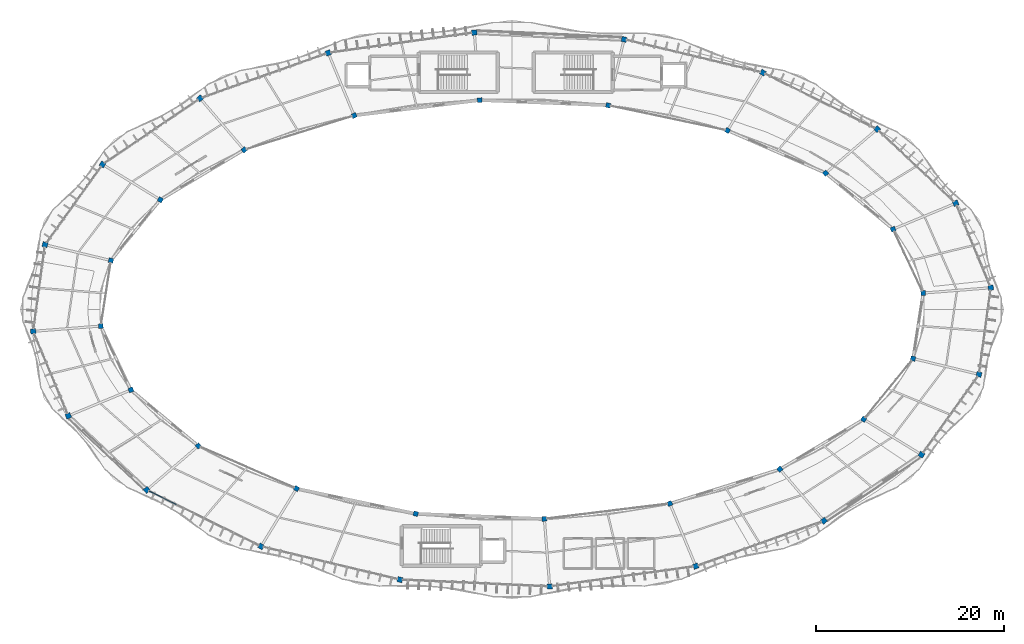
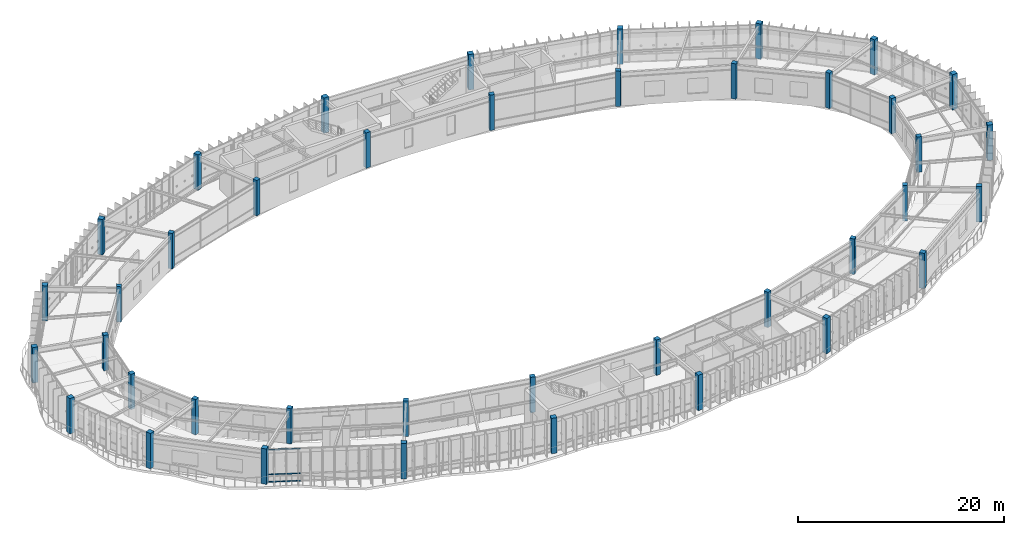
# One storey, part 1 of 79: 40 columns, 3 members, 1 element without a shape of its own.
"""IFC4 building model written with IfcOpenShell, lengths in metres."""

from ifc_helpers import new_model, si_unit, direction, frame, origin, origin_2d, place, context, subcontext, project, spatial, rectangle, hollow_rectangle, extrude, material, material_profile, profile_set, type_object, element, aggregate, save


model = new_model("IFC4")

# Units and contexts
model_context = context("Model", 3, precision=1e-05, world=origin(), true_north=direction((0.0, 1.0)))
body_context = subcontext(model_context, "Body", "Model", "MODEL_VIEW")
ifc_project = project(units=[si_unit("LENGTHUNIT", "METRE"), si_unit("AREAUNIT", "SQUARE_METRE"), si_unit("VOLUMEUNIT", "CUBIC_METRE"), si_unit("PLANEANGLEUNIT", "RADIAN"), si_unit("MASSUNIT", "GRAM", prefix="KILO"), si_unit("THERMODYNAMICTEMPERATUREUNIT", "KELVIN"), si_unit("POWERUNIT", "WATT")], contexts=[model_context])

# Site, building, storey
site_placement = place(None, origin())
site = spatial("IfcSite", under=ifc_project, at=site_placement, CompositionType="ELEMENT")
building_placement = place(site_placement, origin())
building = spatial("IfcBuilding", under=site, at=building_placement, Name="Darbajah Civic Hall", CompositionType="ELEMENT")
storey_placement = place(building_placement, frame((0.0, 0.0, 22.199951171875)))
storey = spatial("IfcBuildingStorey", under=building, at=storey_placement, Name="L05", CompositionType="ELEMENT", Elevation=22.199951171875)

# Columns
ifc_material_1 = material(Name="Concrete C45/55", Category="concrete")
ifc_material_profile_1 = material_profile(ifc_material_1, rectangle(XDim=0.5, YDim=0.5, at=origin_2d()), Name="RC COL 500x500")
ifc_profile_set_1 = profile_set([ifc_material_profile_1], Name="Concrete C45/55")
column_type_1 = type_object("IfcColumnType", Name="RC COL 500x500", PredefinedType="COLUMN", material=ifc_profile_set_1)
for number, where, z_axis, x_axis, name in (
    (1, (132.764892578125, 91.549560546875, 0.0), (0.0, 0.0, 1.0), (0.996917333733, 0.078459095728, 0.0), "L05 column C-RC500"),
    (2, (129.56591796875, 98.333740234375, 0.0), (0.0, 0.0, 1.0), (0.923879532511, 0.382683432365, 0.0), "L05 column C-RC500"),
    (3, (122.40576171875, 104.28271484375, 0.0), (0.0, 0.0, 1.0), (0.7604059656, 0.64944804833, 0.0), "L05 column C-RC500"),
    (4, (111.9853515625, 108.81396484375, 0.0), (0.0, 0.0, 1.0), (0.522498564716, 0.852640164354, 0.0), "L05 column C-RC500"),
    (5, (99.324951171875, 111.48388671875, 0.0), (0.0, 0.0, 1.0), (0.233445363856, 0.972369920398, 0.0), "L05 column C-RC500"),
    (6, (85.66357421875, 112.03125, 0.0), (0.0, 0.0, 1.0), (-0.078459095728, 0.996917333733, 0.0), "L05 column C-RC500"),
    (7, (72.33837890625, 110.402587890625, 0.0), (0.0, 0.0, 1.0), (-0.382683432365, 0.923879532511, 0.0), "L05 column C-RC500"),
    (8, (60.654296875, 106.757080078125, 0.0), (0.0, 0.0, 1.0), (-0.64944804833, 0.7604059656, 0.0), "L05 column C-RC500"),
    (9, (51.75439453125, 101.45166015625, 0.0), (0.0, 0.0, 1.0), (-0.852640164354, 0.522498564716, 0.0), "L05 column C-RC500"),
    (10, (46.51025390625, 95.005859375, 0.0), (0.0, 0.0, 1.0), (-0.972369920398, 0.233445363856, 0.0), "L05 column C-RC500"),
    (11, (45.43505859375, 88.05029296875, 0.0), (0.0, 0.0, 1.0), (-0.996917333733, -0.078459095728, 0.0), "L05 column C-RC500"),
    (12, (48.634033203125, 81.26611328125, 0.0), (0.0, 0.0, 1.0), (-0.923879532511, -0.382683432365, 0.0), "L05 column C-RC500"),
    (13, (55.794189453125, 75.3173828125, 0.0), (0.0, 0.0, 1.0), (-0.7604059656, -0.64944804833, 0.0), "L05 column C-RC500"),
    (14, (66.214599609375, 70.7861328125, 0.0), (0.0, 0.0, 1.0), (-0.522498564716, -0.852640164354, 0.0), "L05 column C-RC500"),
    (15, (78.875, 68.1162109375, 0.0), (0.0, 0.0, 1.0), (-0.233445363856, -0.972369920398, 0.0), "L05 column C-RC500"),
    (16, (92.53662109375, 67.568603515625, 0.0), (0.0, 0.0, 1.0), (0.078459095728, -0.996917333733, 0.0), "L05 column C-RC500"),
    (17, (105.861572265625, 69.197509765625, 0.0), (0.0, 0.0, 1.0), (0.382683432365, -0.923879532511, 0.0), "L05 column C-RC500"),
    (18, (117.5458984375, 72.843017578125, 0.0), (0.0, 0.0, 1.0), (0.64944804833, -0.7604059656, 0.0), "L05 column C-RC500"),
    (19, (126.445556640625, 78.148193359375, 0.0), (0.0, 0.0, 1.0), (0.852640164354, -0.522498564716, 0.0), "L05 column C-RC500"),
    (20, (131.689697265625, 84.59423828125, 0.0), (0.0, 0.0, 1.0), (0.972369920398, -0.233445363856, 0.0), "L05 column C-RC500"),
):
    element("IfcColumn", number, at=place(storey_placement, frame(where, z_axis=z_axis, x_axis=x_axis)), inside=storey, type_object=column_type_1, Name=name, PredefinedType="COLUMN", context=body_context, shape_type="SweptSolid", body=[
        extrude(rectangle(XDim=0.5, YDim=0.5, at=origin_2d()), origin(), (0.0, 0.0, 1.0), 4.199951171875),
    ])
ifc_material_profile_2 = material_profile(ifc_material_1, rectangle(XDim=0.550048828125, YDim=0.550048828125, at=origin_2d()), Name="RC COL 550x550")
ifc_profile_set_2 = profile_set([ifc_material_profile_2], Name="Concrete C45/55")
column_type_2 = type_object("IfcColumnType", Name="RC COL 550x550", PredefinedType="COLUMN", material=ifc_profile_set_2)
for number, where, z_axis, x_axis, name in (
    (21, (139.94287109375, 92.114501953125, 0.0), (0.0, 0.0, 1.0), (0.996917333733, 0.078459095728, 0.0), "L05 column C-RC550"),
    (22, (136.218017578125, 101.089111328125, 0.0), (0.0, 0.0, 1.0), (0.923879532511, 0.382683432365, 0.0), "L05 column C-RC550"),
    (23, (127.880615234375, 108.958740234375, 0.0), (0.0, 0.0, 1.0), (0.7604059656, 0.64944804833, 0.0), "L05 column C-RC550"),
    (24, (115.747314453125, 114.952880859375, 0.0), (0.0, 0.0, 1.0), (0.522498564716, 0.852640164354, 0.0), "L05 column C-RC550"),
    (25, (101.005615234375, 118.48486328125, 0.0), (0.0, 0.0, 1.0), (0.233445363856, 0.972369920398, 0.0), "L05 column C-RC550"),
    (26, (85.0986328125, 119.208984375, 0.0), (0.0, 0.0, 1.0), (-0.078459095728, 0.996917333733, 0.0), "L05 column C-RC550"),
    (27, (69.5830078125, 117.054443359375, 0.0), (0.0, 0.0, 1.0), (-0.382683432365, 0.923879532511, 0.0), "L05 column C-RC550"),
    (28, (55.97802734375, 112.23193359375, 0.0), (0.0, 0.0, 1.0), (-0.64944804833, 0.7604059656, 0.0), "L05 column C-RC550"),
    (29, (45.615478515625, 105.213623046875, 0.0), (0.0, 0.0, 1.0), (-0.852640164354, 0.522498564716, 0.0), "L05 column C-RC550"),
    (30, (39.509033203125, 96.6865234375, 0.0), (0.0, 0.0, 1.0), (-0.972369920398, 0.233445363856, 0.0), "L05 column C-RC550"),
    (31, (38.257080078125, 87.485595703125, 0.0), (0.0, 0.0, 1.0), (-0.996917333733, -0.078459095728, 0.0), "L05 column C-RC550"),
    (32, (41.982177734375, 78.5107421875, 0.0), (0.0, 0.0, 1.0), (-0.923879532511, -0.382683432365, 0.0), "L05 column C-RC550"),
    (33, (50.3193359375, 70.641357421875, 0.0), (0.0, 0.0, 1.0), (-0.7604059656, -0.64944804833, 0.0), "L05 column C-RC550"),
    (34, (62.45263671875, 64.647216796875, 0.0), (0.0, 0.0, 1.0), (-0.522498564716, -0.852640164354, 0.0), "L05 column C-RC550"),
    (35, (77.1943359375, 61.114990234375, 0.0), (0.0, 0.0, 1.0), (-0.233445363856, -0.972369920398, 0.0), "L05 column C-RC550"),
    (36, (93.101318359375, 60.390869140625, 0.0), (0.0, 0.0, 1.0), (0.078459095728, -0.996917333733, 0.0), "L05 column C-RC550"),
    (37, (108.616943359375, 62.545654296875, 0.0), (0.0, 0.0, 1.0), (0.382683432365, -0.923879532511, 0.0), "L05 column C-RC550"),
    (38, (122.221923828125, 67.367919921875, 0.0), (0.0, 0.0, 1.0), (0.64944804833, -0.7604059656, 0.0), "L05 column C-RC550"),
    (39, (132.584716796875, 74.38623046875, 0.0), (0.0, 0.0, 1.0), (0.852640164354, -0.522498564716, 0.0), "L05 column C-RC550"),
    (40, (138.69091796875, 82.913330078125, 0.0), (0.0, 0.0, 1.0), (0.972369920398, -0.233445363856, 0.0), "L05 column C-RC550"),
):
    element("IfcColumn", number, at=place(storey_placement, frame(where, z_axis=z_axis, x_axis=x_axis)), inside=storey, type_object=column_type_2, Name=name, PredefinedType="COLUMN", context=body_context, shape_type="SweptSolid", body=[
        extrude(rectangle(XDim=0.550048828125, YDim=0.550048828125, at=origin_2d()), origin(), (0.0, 0.0, 1.0), 4.199951171875),
    ])

# Curtain wall, members
ifc_material_2 = material(Name="Anodised Bronze Aluminium and Low-E Glazing", Category="aluminium")
curtain_wall_type = type_object("IfcCurtainWallType", Name="Unitised Curtain Wall CW-83 13000x3900", PredefinedType="USERDEFINED", material=ifc_material_2)
curtain_wall_placement = place(storey_placement, origin())
curtain_wall = element("IfcCurtainWall", 41, at=curtain_wall_placement, inside=storey, type_object=curtain_wall_type, Name="L05 unitised curtain wall CW-V1O-L05-12", ObjectType="UNITISED CURTAIN WALL", PredefinedType="USERDEFINED")
ifc_material_3 = material(Name="Anodised Bronze Aluminium", Category="aluminium")
ifc_material_profile_3 = material_profile(ifc_material_3, hollow_rectangle(XDim=0.06494140625, YDim=0.139892578125, WallThickness=0.00341796875, at=origin_2d()), Name="ALU TRANSOM 65x140")
ifc_profile_set_3 = profile_set([ifc_material_profile_3], Name="Anodised Bronze Aluminium")
member_type = type_object("IfcMemberType", Name="ALU TRANSOM 65x140", PredefinedType="USERDEFINED", material=ifc_profile_set_3)
member_1_placement = place(storey_placement, frame((50.601318359375, 70.501953125, 0.070068359375), z_axis=(0.896542909265, -0.44295689615, 0.0), x_axis=(0.44295689615, 0.896542909265, 0.0)))
member_1 = element("IfcMember", 42, at=member_1_placement, type_object=member_type, Name="CW-V1O-L05-12 transom 1.1", ObjectType="TRANSOM", PredefinedType="USERDEFINED", context=body_context, shape_type="SweptSolid", body=[
    extrude(hollow_rectangle(XDim=0.06494140625, YDim=0.139892578125, WallThickness=0.00341796875, at=origin_2d()), origin(), (0.0, 0.0, 1.0), 3.169677734375),
])
member_2_placement = place(storey_placement, frame((50.601318359375, 70.501953125, 0.949951171875), z_axis=(0.896542909265, -0.44295689615, 0.0), x_axis=(0.44295689615, 0.896542909265, 0.0)))
member_2 = element("IfcMember", 43, at=member_2_placement, type_object=member_type, Name="CW-V1O-L05-12 transom 1.2", ObjectType="TRANSOM", PredefinedType="USERDEFINED", context=body_context, shape_type="SweptSolid", body=[
    extrude(hollow_rectangle(XDim=0.06494140625, YDim=0.139892578125, WallThickness=0.00341796875, at=origin_2d()), origin(), (0.0, 0.0, 1.0), 3.169677734375),
])
member_3_placement = place(storey_placement, frame((50.601318359375, 70.501953125, 3.85009765625), z_axis=(0.896542909265, -0.44295689615, 0.0), x_axis=(0.44295689615, 0.896542909265, 0.0)))
member_3 = element("IfcMember", 44, at=member_3_placement, type_object=member_type, Name="CW-V1O-L05-12 transom 1.3", ObjectType="TRANSOM", PredefinedType="USERDEFINED", context=body_context, shape_type="SweptSolid", body=[
    extrude(hollow_rectangle(XDim=0.06494140625, YDim=0.139892578125, WallThickness=0.00341796875, at=origin_2d()), origin(), (0.0, 0.0, 1.0), 3.169677734375),
])
aggregate(curtain_wall, [member_1, member_2, member_3])

save(model, "model.ifc")
